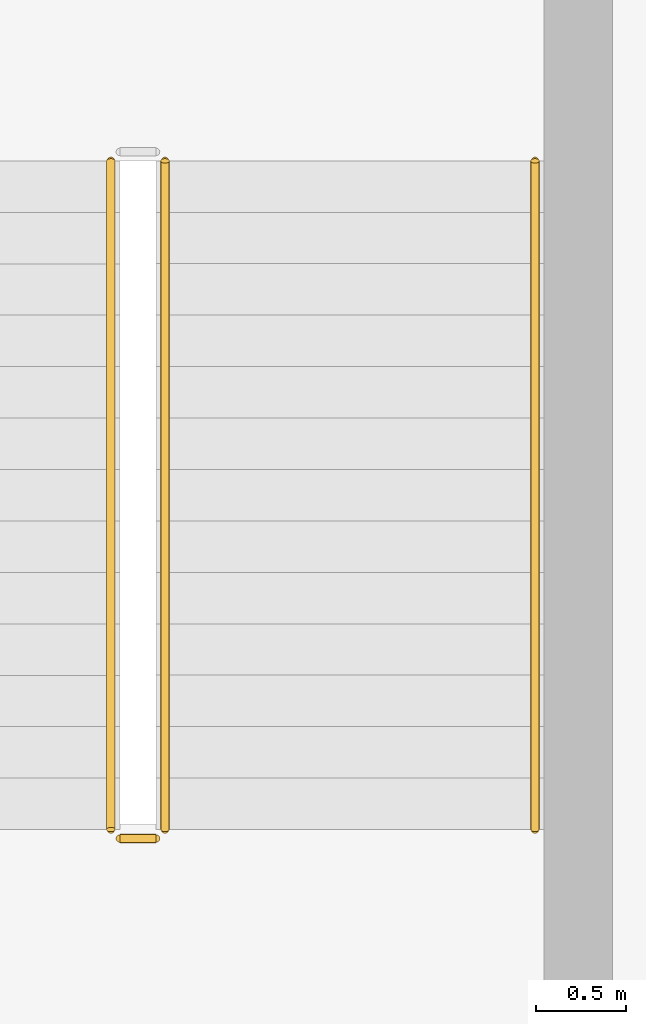
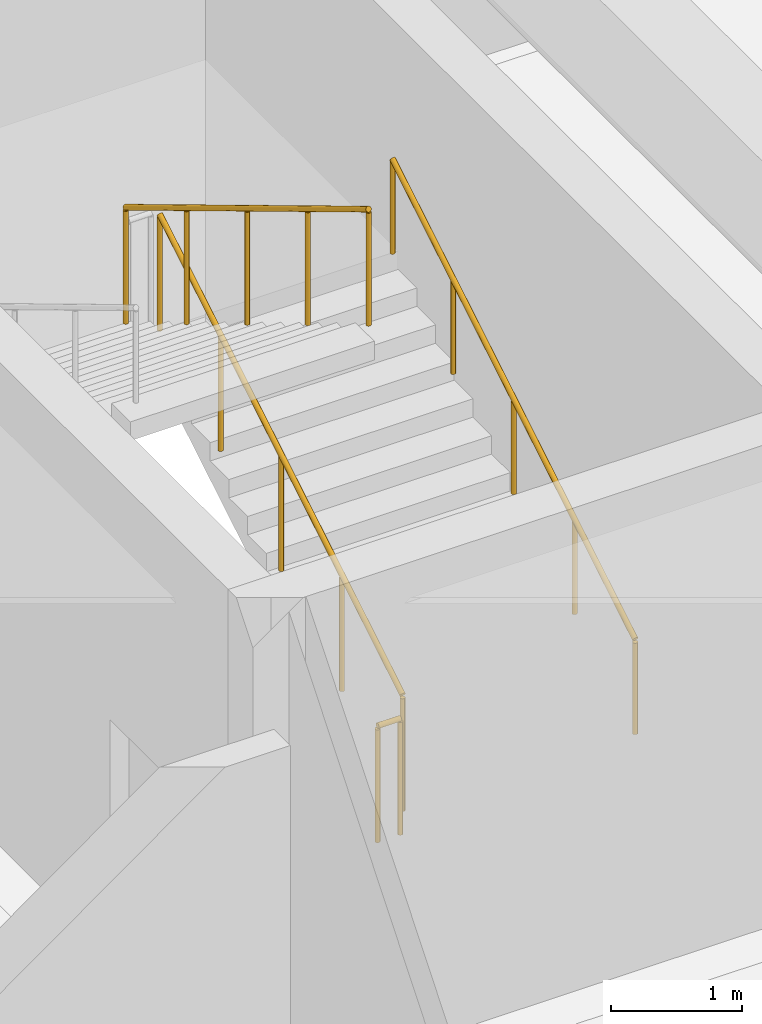
# One storey, part 68 of 86: 4 railings.
"""IFC4 building model written with IfcOpenShell, lengths in metres."""

from ifc_helpers import new_model, si_unit, direction, frame, origin, origin_2d, place, context, subcontext, project, spatial, circle, extrude, material, type_object, element, save


model = new_model("IFC4")

# Units and contexts
model_context = context("Model", 3, precision=1e-05, world=origin(), true_north=direction((0.0, 1.0)))
body_context = subcontext(model_context, "Body", "Model", "MODEL_VIEW")
ifc_project = project(units=[si_unit("LENGTHUNIT", "METRE"), si_unit("AREAUNIT", "SQUARE_METRE"), si_unit("VOLUMEUNIT", "CUBIC_METRE"), si_unit("PLANEANGLEUNIT", "RADIAN"), si_unit("MASSUNIT", "GRAM", prefix="KILO")], contexts=[model_context])

# Site, building, storey
site_placement = place(None, origin())
site = spatial("IfcSite", under=ifc_project, at=site_placement, CompositionType="ELEMENT")
building_placement = place(site_placement, origin())
building = spatial("IfcBuilding", under=site, at=building_placement, Name="Cendralis Terraced Arcade", CompositionType="ELEMENT")
storey_placement = place(building_placement, frame((0.0, 0.0, 5.39990234375)))
storey = spatial("IfcBuildingStorey", under=building, at=storey_placement, Name="L01", CompositionType="ELEMENT", Elevation=5.39990234375)

# Railings
ifc_material = material(Name="Brushed stainless steel AISI 316", Category="steel")
railing_type_1 = type_object("IfcRailingType", Name="RL-STAIR-GUARD-1100", PredefinedType="GUARDRAIL", material=ifc_material)
railing_1_placement = place(storey_placement, frame((53.699951171875, 30.550048828125, 0.171630859375)))
element("IfcRailing", 1, at=railing_1_placement, inside=storey, type_object=railing_type_1, Name="L01 ST-04 stair guard 1", PredefinedType="GUARDRAIL", context=body_context, shape_type="SweptSolid", body=[
    extrude(circle(Radius=0.02392578125, at=origin_2d()), frame((0.0, 0.0, 1.076171875), z_axis=(0.0, 0.856919398105, 0.515450429384), x_axis=(-1.0, 0.0, 0.0)), (0.0, 0.0, 1.0), 4.323486328125),
    extrude(circle(Radius=0.02099609375, at=origin_2d()), origin(), (0.0, 0.0, 1.0), 1.052001953125),
    extrude(circle(Radius=0.02099609375, at=origin_2d()), frame((0.0, 0.92626953125, 0.55712890625)), (0.0, 0.0, 1.0), 1.052001953125),
    extrude(circle(Radius=0.02099609375, at=origin_2d()), frame((0.0, 1.8525390625, 1.1142578125)), (0.0, 0.0, 1.0), 1.052001953125),
    extrude(circle(Radius=0.02099609375, at=origin_2d()), frame((0.0, 2.778564453125, 1.67138671875)), (0.0, 0.0, 1.0), 1.052001953125),
    extrude(circle(Radius=0.02099609375, at=origin_2d()), frame((0.0, 3.704833984375, 2.228515625)), (0.0, 0.0, 1.0), 1.052001953125),
])
railing_2_placement = place(storey_placement, frame((53.39990234375, 34.2548828125, 2.571533203125)))
element("IfcRailing", 2, at=railing_2_placement, inside=storey, type_object=railing_type_1, Name="L01 ST-04 stair guard 3", PredefinedType="GUARDRAIL", context=body_context, shape_type="SweptSolid", body=[
    extrude(circle(Radius=0.02392578125, at=origin_2d()), frame((0.0, 0.0, 1.076171875), z_axis=(0.0, -0.856919398105, 0.515450429384), x_axis=(1.0, 0.0, 0.0)), (0.0, 0.0, 1.0), 4.323486328125),
    extrude(circle(Radius=0.02099609375, at=origin_2d()), origin(), (0.0, 0.0, 1.0), 1.052001953125),
    extrude(circle(Radius=0.02099609375, at=origin_2d()), frame((0.0, -0.92626953125, 0.55712890625)), (0.0, 0.0, 1.0), 1.052001953125),
    extrude(circle(Radius=0.02099609375, at=origin_2d()), frame((0.0, -1.8525390625, 1.1142578125)), (0.0, 0.0, 1.0), 1.052001953125),
    extrude(circle(Radius=0.02099609375, at=origin_2d()), frame((0.0, -2.778564453125, 1.67138671875)), (0.0, 0.0, 1.0), 1.052001953125),
    extrude(circle(Radius=0.02099609375, at=origin_2d()), frame((0.0, -3.704833984375, 2.228515625)), (0.0, 0.0, 1.0), 1.052001953125),
])
railing_3_placement = place(storey_placement, frame((53.64990234375, 30.5, 0.0)))
element("IfcRailing", 3, at=railing_3_placement, inside=storey, type_object=railing_type_1, Name="L01 ST-04 stair guard 4", PredefinedType="GUARDRAIL", context=body_context, shape_type="SweptSolid", body=[
    extrude(circle(Radius=0.02392578125, at=origin_2d()), frame((0.0, 0.0, 1.076171875), z_axis=(-1.0, 0.0, 0.0), x_axis=(0.0, -1.0, 0.0)), (0.0, 0.0, 1.0), 0.199951171875),
    extrude(circle(Radius=0.02099609375, at=origin_2d()), origin(), (0.0, 0.0, 1.0), 1.052001953125),
    extrude(circle(Radius=0.02099609375, at=origin_2d()), frame((-0.199951171875, 0.0, 0.0)), (0.0, 0.0, 1.0), 1.052001953125),
])
railing_type_2 = type_object("IfcRailingType", Name="RL-STAIR-HAND-900", PredefinedType="HANDRAIL", material=ifc_material)
railing_4_placement = place(storey_placement, frame((55.75, 30.550048828125, 0.171630859375)))
element("IfcRailing", 4, at=railing_4_placement, inside=storey, type_object=railing_type_2, Name="L01 ST-04 stair handrail 1", PredefinedType="HANDRAIL", context=body_context, shape_type="SweptSolid", body=[
    extrude(circle(Radius=0.02392578125, at=origin_2d()), frame((0.0, 0.0, 0.8759765625), z_axis=(0.0, 0.856919398105, 0.515450429384), x_axis=(-1.0, 0.0, 0.0)), (0.0, 0.0, 1.0), 4.323486328125),
    extrude(circle(Radius=0.02099609375, at=origin_2d()), origin(), (0.0, 0.0, 1.0), 0.851806640625),
    extrude(circle(Radius=0.02099609375, at=origin_2d()), frame((0.0, 0.92626953125, 0.55712890625)), (0.0, 0.0, 1.0), 0.851806640625),
    extrude(circle(Radius=0.02099609375, at=origin_2d()), frame((0.0, 1.8525390625, 1.1142578125)), (0.0, 0.0, 1.0), 0.851806640625),
    extrude(circle(Radius=0.02099609375, at=origin_2d()), frame((0.0, 2.778564453125, 1.67138671875)), (0.0, 0.0, 1.0), 0.851806640625),
    extrude(circle(Radius=0.02099609375, at=origin_2d()), frame((0.0, 3.704833984375, 2.228515625)), (0.0, 0.0, 1.0), 0.851806640625),
])

save(model, "model.ifc")
